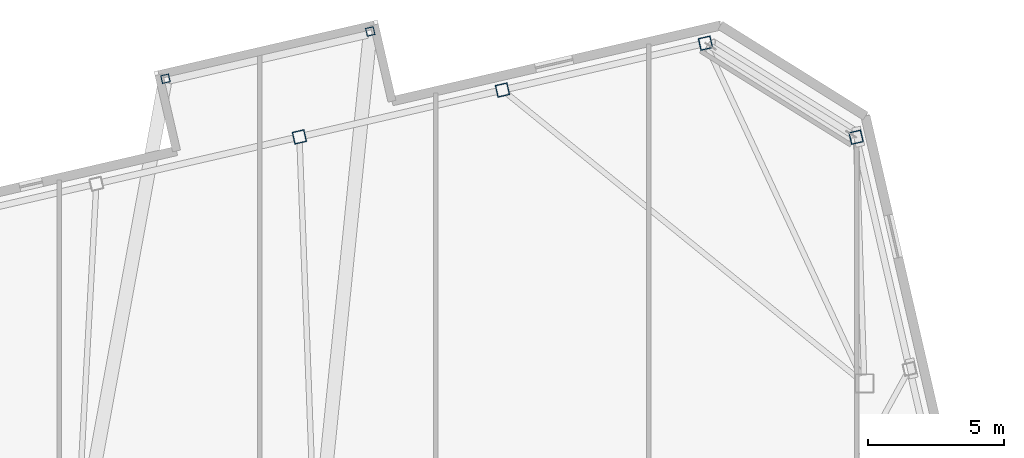
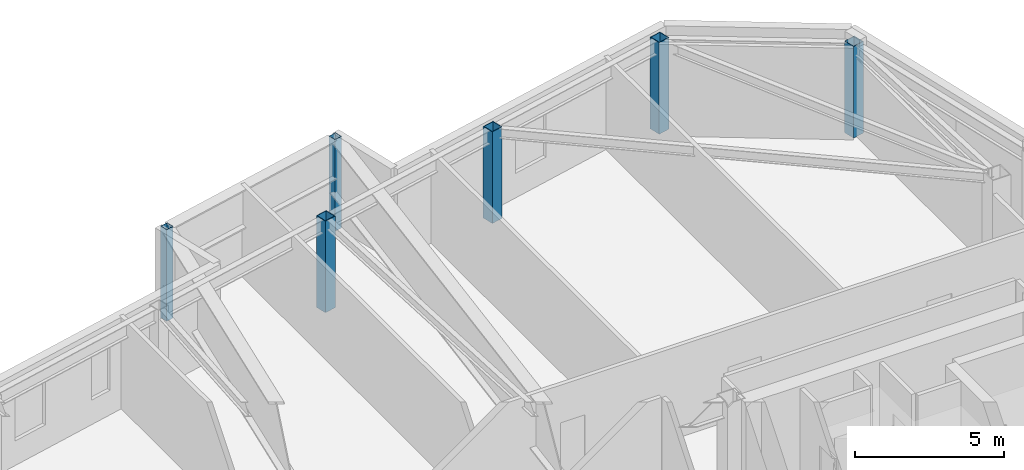
# One storey, part 3 of 22: 6 columns.
"""IFC4 building model written with IfcOpenShell, lengths in metres."""

from ifc_helpers import new_model, si_unit, direction, frame, origin, origin_2d, place, context, subcontext, project, spatial, hollow_rectangle, extrude, material, material_profile, profile_set, type_object, element, save


model = new_model("IFC4")

# Units and contexts
model_context = context("Model", 3, precision=1e-05, world=origin(), true_north=direction((0.0, 1.0)))
body_context = subcontext(model_context, "Body", "Model", "MODEL_VIEW")
ifc_project = project(units=[si_unit("LENGTHUNIT", "METRE"), si_unit("AREAUNIT", "SQUARE_METRE"), si_unit("VOLUMEUNIT", "CUBIC_METRE"), si_unit("PLANEANGLEUNIT", "RADIAN"), si_unit("MASSUNIT", "GRAM", prefix="KILO")], contexts=[model_context])

# Site, building, storey
site_placement = place(None, origin())
site = spatial("IfcSite", under=ifc_project, at=site_placement, CompositionType="ELEMENT")
building_placement = place(site_placement, origin())
building = spatial("IfcBuilding", under=site, at=building_placement, Name="Tavrogorsk Clinical Tower", CompositionType="ELEMENT")
storey_placement = place(building_placement, frame((0.0, 0.0, 313.0)))
storey = spatial("IfcBuildingStorey", under=building, at=storey_placement, Name="L73", CompositionType="ELEMENT", Elevation=313.0)

# Columns
ifc_material_1 = material(Name="Structural steel S390", Category="steel")
ifc_material_profile_1 = material_profile(ifc_material_1, hollow_rectangle(XDim=0.300048828125, YDim=0.300048828125, WallThickness=0.01611328125, at=origin_2d()), Name="SHS-300x300x16")
ifc_profile_set_1 = profile_set([ifc_material_profile_1], Name="Structural steel S390")
column_type_1 = type_object("IfcColumnType", Name="DayroomCol_SHS300", PredefinedType="COLUMN", material=ifc_profile_set_1)
for number, where, z_axis, x_axis, name in (
    (1, (-1.10205078125, 24.362548828125, 0.0), (0.0, 0.0, 1.0), (0.974370064785, 0.224951054344, 0.0), "L73 Day-Room Box Column DRB-10-L"),
    (2, (6.400634765625, 26.0947265625, 0.0), (0.0, 0.0, 1.0), (0.974370064785, 0.224951054344, 0.0), "L73 Day-Room Box Column DRB-10-R"),
):
    element("IfcColumn", number, at=place(storey_placement, frame(where, z_axis=z_axis, x_axis=x_axis)), inside=storey, type_object=column_type_1, Name=name, PredefinedType="COLUMN", context=body_context, shape_type="SweptSolid", body=[
        extrude(hollow_rectangle(XDim=0.300048828125, YDim=0.300048828125, WallThickness=0.01611328125, at=origin_2d()), origin(), (0.0, 0.0, 1.0), 3.739990234375),
    ])
ifc_material_2 = material(Name="Structural steel S440", Category="steel")
ifc_material_profile_2 = material_profile(ifc_material_2, hollow_rectangle(XDim=0.449951171875, YDim=0.449951171875, WallThickness=0.02197265625, at=origin_2d()), Name="BOX-450x450x22")
ifc_profile_set_2 = profile_set([ifc_material_profile_2], Name="Structural steel S440")
column_type_2 = type_object("IfcColumnType", Name="PerimCol_B5_BOX450", PredefinedType="COLUMN", material=ifc_profile_set_2)
for number, where, z_axis, x_axis, name in (
    (3, (18.681640625, 25.666259765625, 0.0), (0.0, 0.0, 1.0), (0.974370064785, 0.224951054344, 0.0), "L73 Perimeter Column N1"),
    (4, (11.2431640625, 23.948974609375, 0.0), (0.0, 0.0, 1.0), (0.974370064785, 0.224951054344, 0.0), "L73 Perimeter Column N2"),
    (5, (3.804443359375, 22.231689453125, 0.0), (0.0, 0.0, 1.0), (0.974370064785, 0.224951054344, 0.0), "L73 Perimeter Column N3"),
    (6, (24.198486328125, 22.218994140625, 0.0), (0.0, 0.0, 1.0), (0.974370064785, 0.224951054344, 0.0), "L73 Perimeter Column E5"),
):
    element("IfcColumn", number, at=place(storey_placement, frame(where, z_axis=z_axis, x_axis=x_axis)), inside=storey, type_object=column_type_2, Name=name, PredefinedType="COLUMN", context=body_context, shape_type="SweptSolid", body=[
        extrude(hollow_rectangle(XDim=0.449951171875, YDim=0.449951171875, WallThickness=0.02197265625, at=origin_2d()), origin(), (0.0, 0.0, 1.0), 3.739990234375),
    ])

save(model, "model.ifc")
